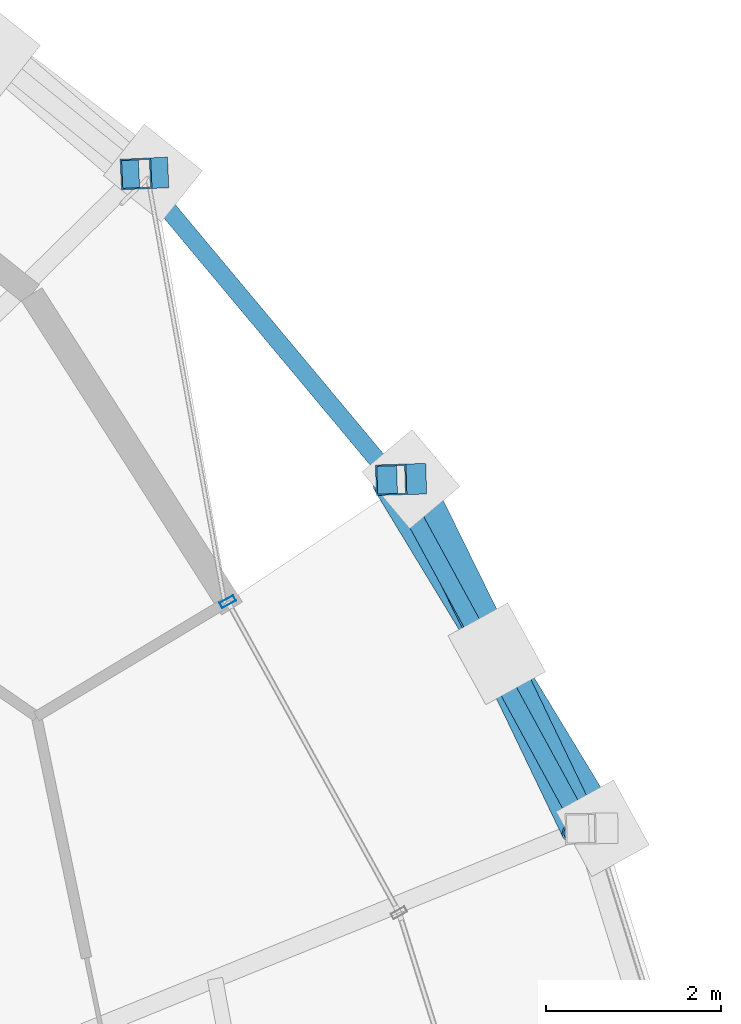
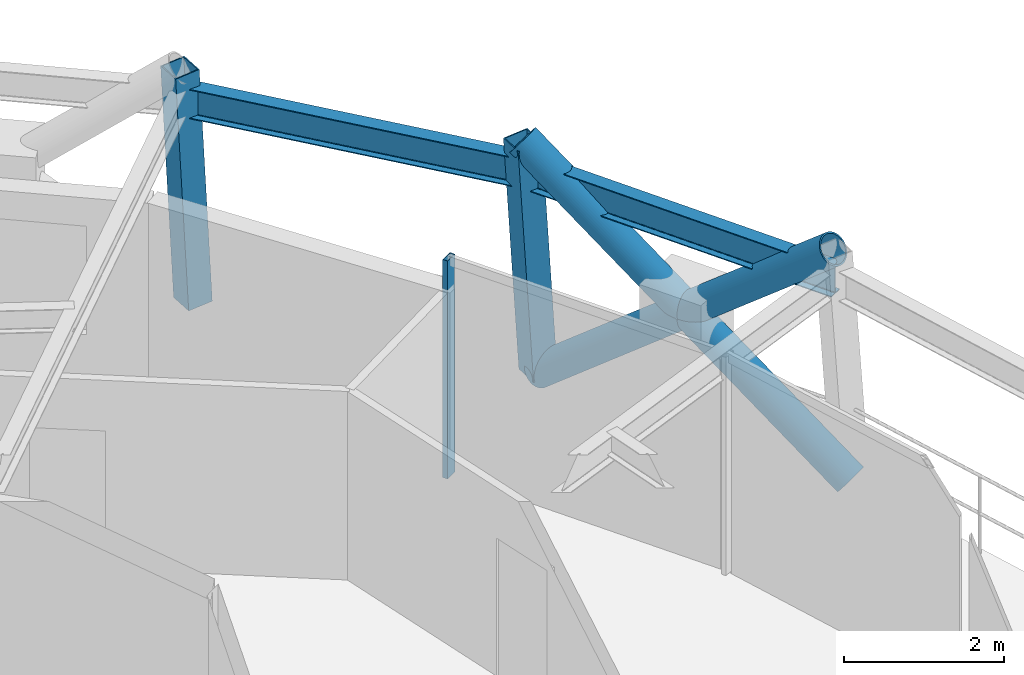
# One storey, part 9 of 16: 6 members, 2 beams, 1 element without a shape of its own.
"""IFC4 building model written with IfcOpenShell, lengths in metres."""

import ifcopenshell
import ifcopenshell.guid

model = None  # the IFC model being written
_history = None  # IfcOwnerHistory: only IFC2X3 demands one
_inside = {}  # id of a spatial element -> (the spatial element, [elements in it])
_under = {}  # id of a project, library or spatial element -> (it, [spatial elements below it])
_declared = {}  # id of a project -> (the project, [libraries it declares])
_typed = {}  # id of a type object -> (the type object, [elements of that type])
_made_of = {}  # id of a material, layer set ... -> (it, [elements and type objects made of it])


def new_model(schema):
    """Start an empty IFC model of exactly this schema.

    Asked for "IFC4X3", IfcOpenShell would pick the latest addendum, in which some entities
    have other attributes; the version numbers below select the first issue.
    IFC2X3 requires an IfcOwnerHistory on every rooted entity: one is made here for all.
    """
    global model, _history
    if schema == "IFC4X3":
        model = ifcopenshell.file(schema_version=(4, 3, 0, 0))
    else:
        model = ifcopenshell.file(schema=schema)
    _inside.clear()
    _under.clear()
    _declared.clear()
    _typed.clear()
    _made_of.clear()
    _history = None
    if model.schema == "IFC2X3":
        org = make("IfcOrganization", Name="unknown")
        user = make(
            "IfcPersonAndOrganization",
            ThePerson=make("IfcPerson", FamilyName="unknown"),
            TheOrganization=org,
        )
        app = make(
            "IfcApplication",
            ApplicationDeveloper=org,
            Version="unknown",
            ApplicationFullName="unknown",
            ApplicationIdentifier="unknown",
        )
        _history = make(
            "IfcOwnerHistory",
            OwningUser=user,
            OwningApplication=app,
            ChangeAction="ADDED",
            CreationDate=0,
        )
    return model


def make(cls, **values):
    """One entity of the class cls with the attributes given. An attribute that is None is left unset."""
    return model.create_entity(
        cls, **{name: value for name, value in values.items() if value is not None}
    )


def rooted(cls, **values):
    """An entity with a GlobalId (a new one), such as an element, a storey or a relation."""
    return make(cls, GlobalId=ifcopenshell.guid.new(), OwnerHistory=_history, **values)


def si_unit(unit_type, name, prefix=None):
    """IfcSIUnit, for example si_unit("LENGTHUNIT", "METRE", prefix="MILLI")."""
    return make("IfcSIUnit", UnitType=unit_type, Prefix=prefix, Name=name)


def assignment(units):
    """IfcUnitAssignment: the units of a project."""
    return None if units is None else make("IfcUnitAssignment", Units=units)


def point(xyz):
    """IfcCartesianPoint."""
    return None if xyz is None else make("IfcCartesianPoint", Coordinates=xyz)


def direction(xyz):
    """IfcDirection."""
    return None if xyz is None else make("IfcDirection", DirectionRatios=xyz)


def frame(location, z_axis=None, x_axis=None):
    """IfcAxis2Placement3D, a coordinate frame: its origin and axes. An axis left out is left unset."""
    return make(
        "IfcAxis2Placement3D",
        Location=point(location),
        Axis=direction(z_axis),
        RefDirection=direction(x_axis),
    )


def frame_2d(location, x_axis=None):
    """IfcAxis2Placement2D, a coordinate frame in the plane: its origin and x axis."""
    return make(
        "IfcAxis2Placement2D", Location=point(location), RefDirection=direction(x_axis)
    )


def origin():
    """The frame at (0, 0, 0) with its axes left unset."""
    return frame((0.0, 0.0, 0.0))


def origin_2d():
    """The frame at (0, 0) in the plane with its x axis left unset."""
    return frame_2d((0.0, 0.0))


def place(relative_to, where):
    """IfcLocalPlacement: puts the frame where relative to a parent placement (None: the world)."""
    return make(
        "IfcLocalPlacement", PlacementRelTo=relative_to, RelativePlacement=where
    )


def context(
    kind, dimensions, precision=None, world=None, true_north=None, identifier=None
):
    """IfcGeometricRepresentationContext, for example the 3D "Model" context."""
    return make(
        "IfcGeometricRepresentationContext",
        ContextIdentifier=identifier,
        ContextType=kind,
        CoordinateSpaceDimension=dimensions,
        Precision=precision,
        WorldCoordinateSystem=world,
        TrueNorth=true_north,
    )


def subcontext(parent, identifier, kind, view, scale=None):
    """IfcGeometricRepresentationSubContext, for example "Body" below "Model"."""
    return make(
        "IfcGeometricRepresentationSubContext",
        ContextIdentifier=identifier,
        ContextType=kind,
        ParentContext=parent,
        TargetScale=scale,
        TargetView=view,
    )


def project(units=None, contexts=None):
    """IfcProject with its units and contexts."""
    return rooted(
        "IfcProject",
        Name="project",
        RepresentationContexts=contexts,
        UnitsInContext=assignment(units),
    )


def spatial(cls, under=None, at=None, **own):
    """A site, building, storey or space (cls), placed at a placement, below another one or the project."""
    s = rooted(cls, ObjectPlacement=at, **own)
    if under is not None:
        _under.setdefault(under.id(), (under, []))[1].append(s)
    return s


def profile(cls, at=None, kind="AREA", **sizes):
    """A parametric profile (cls). Its sizes go by their IFC names, for example OverallWidth=200.0."""
    return make(cls, ProfileType=kind, Position=at, **sizes)


def hollow_rectangle(**sizes):
    """IfcRectangleHollowProfileDef."""
    return profile("IfcRectangleHollowProfileDef", **sizes)


def hollow_circle(**sizes):
    """IfcCircleHollowProfileDef."""
    return profile("IfcCircleHollowProfileDef", **sizes)


def i_section(**sizes):
    """IfcIShapeProfileDef."""
    return profile("IfcIShapeProfileDef", **sizes)


def extrude(swept, where, along, depth):
    """IfcExtrudedAreaSolid: the profile swept, set in the frame where, extruded along a direction by depth."""
    return make(
        "IfcExtrudedAreaSolid",
        SweptArea=swept,
        Position=where,
        ExtrudedDirection=direction(along),
        Depth=depth,
    )


def shape(context_of_items, identifier, shape_type, items):
    """IfcShapeRepresentation: the items that make up one representation, for example the "Body"."""
    return make(
        "IfcShapeRepresentation",
        ContextOfItems=context_of_items,
        RepresentationIdentifier=identifier,
        RepresentationType=shape_type,
        Items=items,
    )


def material(Name=None, Category=None):
    """IfcMaterial."""
    return make("IfcMaterial", Name=Name, Category=Category)


def layer(
    of_material, thickness, ventilated=None, Name=None, Category=None, Priority=None
):
    """IfcMaterialLayer: one layer of a wall or slab, of a material (None: an air gap)."""
    return make(
        "IfcMaterialLayer",
        Material=of_material,
        LayerThickness=thickness,
        IsVentilated=ventilated,
        Name=Name,
        Category=Category,
        Priority=Priority,
    )


def layer_set(layers, Name=None):
    """IfcMaterialLayerSet."""
    return make("IfcMaterialLayerSet", MaterialLayers=layers, LayerSetName=Name)


def material_profile(
    of_material, cross_section, Name=None, Category=None, Priority=None
):
    """IfcMaterialProfile: a cross section and its material."""
    return make(
        "IfcMaterialProfile",
        Name=Name,
        Material=of_material,
        Profile=cross_section,
        Priority=Priority,
        Category=Category,
    )


def profile_set(profiles, Name=None, composite=None):
    """IfcMaterialProfileSet."""
    return make(
        "IfcMaterialProfileSet",
        Name=Name,
        MaterialProfiles=profiles,
        CompositeProfile=composite,
    )


def made_of(thing, what):
    """Note that an element or type object is made of a material, layer set ...; save() writes the relation."""
    if what is not None:
        _made_of.setdefault(what.id(), (what, []))[1].append(thing)
    return thing


def type_object(cls, material=None, **own):
    """A type object (cls), such as IfcWallType, which elements share."""
    return made_of(rooted(cls, **own), material)


def element(
    cls,
    number,
    at=None,
    inside=None,
    cuts=None,
    type_object=None,
    material=None,
    context=None,
    identifier="Body",
    shape_type=None,
    held_by="IfcProductDefinitionShape",
    body=None,
    shapes=None,
    **own,
):
    """One element of the class cls, such as IfcWall. Its Tag is "e" and its number.

    at: its placement. inside: the storey or other place that contains it. cuts: it is an
    opening in that element (IfcRelVoidsElement). A single representation is given by context,
    identifier, shape_type and body (its items); several are given by shapes. held_by: the class
    of the entity that holds the representations. save() writes the other relations.
    """
    e = rooted(cls, Tag="e%d" % number, ObjectPlacement=at, **own)
    if body is not None:
        shapes = [shape(context, identifier, shape_type, body)]
    if shapes is not None:
        e.Representation = make(held_by, Representations=shapes)
    if inside is not None:
        _inside.setdefault(inside.id(), (inside, []))[1].append(e)
    if cuts is not None:
        rooted(
            "IfcRelVoidsElement", RelatingBuildingElement=cuts, RelatedOpeningElement=e
        )
    if type_object is not None:
        _typed.setdefault(type_object.id(), (type_object, []))[1].append(e)
    return made_of(e, material)


def aggregate(whole, parts):
    """IfcRelAggregates: a whole, such as a stair, and the parts it consists of."""
    return rooted("IfcRelAggregates", RelatingObject=whole, RelatedObjects=parts)


def save(model, path):
    """Write the relations noted so far, then the file.

    IfcRelAggregates (storeys below a building ...), IfcRelContainedInSpatialStructure (elements
    in a storey), IfcRelDefinesByType, IfcRelAssociatesMaterial and IfcRelDeclares: one each for
    every whole, place, type object, material and project.
    """
    for whole, parts in _under.values():
        aggregate(whole, parts)
    for where, things in _inside.values():
        rooted(
            "IfcRelContainedInSpatialStructure",
            RelatedElements=things,
            RelatingStructure=where,
        )
    for kind, things in _typed.values():
        rooted("IfcRelDefinesByType", RelatedObjects=things, RelatingType=kind)
    for what, things in _made_of.values():
        rooted("IfcRelAssociatesMaterial", RelatedObjects=things, RelatingMaterial=what)
    for by, libraries in _declared.values():
        rooted("IfcRelDeclares", RelatingContext=by, RelatedDefinitions=libraries)
    model.write(path)


model = new_model("IFC4")

# Units and contexts
model_context = context("Model", 3, precision=1e-05, world=origin(), true_north=direction((0.0, 1.0)))
body_context = subcontext(model_context, "Body", "Model", "MODEL_VIEW")
ifc_project = project(units=[si_unit("LENGTHUNIT", "METRE"), si_unit("AREAUNIT", "SQUARE_METRE"), si_unit("VOLUMEUNIT", "CUBIC_METRE"), si_unit("PLANEANGLEUNIT", "RADIAN"), si_unit("MASSUNIT", "GRAM", prefix="KILO")], contexts=[model_context])

# Site, building, storey
site_placement = place(None, origin())
site = spatial("IfcSite", under=ifc_project, at=site_placement, CompositionType="ELEMENT")
building_placement = place(site_placement, origin())
building = spatial("IfcBuilding", under=site, at=building_placement, Name="Veldorina Hangang Commons", CompositionType="ELEMENT")
storey_placement = place(building_placement, frame((0.0, 0.0, 240.0)))
storey = spatial("IfcBuildingStorey", under=building, at=storey_placement, Name="L62", CompositionType="ELEMENT", Elevation=240.0)

# Beams
ifc_material_1 = material(Name="Steel SM355-TMC", Category="steel")
ifc_material_profile_1 = material_profile(ifc_material_1, i_section(OverallWidth=0.199951171875, OverallDepth=0.449951171875, WebThickness=0.009033203125, FlangeThickness=0.013916015625, FilletRadius=0.01611328125, at=origin_2d()), Name="H-450x200x9x14")
ifc_profile_set_1 = profile_set([ifc_material_profile_1], Name="Steel SM355-TMC")
beam_type = type_object("IfcBeamType", Name="BM-RB450", PredefinedType="BEAM", material=ifc_profile_set_1)
beam_1_placement = place(storey_placement, frame((53.700439453125, 32.83349609375, 3.135009765625), z_axis=(-0.477793774257, 0.878472031018, 0.0), x_axis=(-0.878472031018, -0.477793774257, 0.0)))
element("IfcBeam", 1, at=beam_1_placement, inside=storey, type_object=beam_type, Name="L62 perimeter hoop ring beam 02", PredefinedType="BEAM", context=body_context, shape_type="SweptSolid", body=[
    extrude(i_section(OverallWidth=0.199951171875, OverallDepth=0.449951171875, WebThickness=0.009033203125, FlangeThickness=0.013916015625, FilletRadius=0.01611328125, at=origin_2d()), origin(), (0.0, 0.0, 1.0), 4.54296875),
])
beam_2_placement = place(storey_placement, frame((51.52978515625, 36.824462890625, 3.135009765625), z_axis=(-0.640942886525, 0.767588572227, 0.0), x_axis=(-0.767588572227, -0.640942886525, 0.0)))
element("IfcBeam", 2, at=beam_2_placement, inside=storey, type_object=beam_type, Name="L62 perimeter hoop ring beam 03", PredefinedType="BEAM", context=body_context, shape_type="SweptSolid", body=[
    extrude(i_section(OverallWidth=0.199951171875, OverallDepth=0.449951171875, WebThickness=0.009033203125, FlangeThickness=0.013916015625, FilletRadius=0.01611328125, at=origin_2d()), origin(), (0.0, 0.0, 1.0), 4.55712890625),
])

# Curtain wall, member
ifc_material_2 = material(Name="Glass Low-E Selective", Category="glass")
ifc_layer = layer(ifc_material_2, 0.179931640625)
ifc_layer_set = layer_set([ifc_layer], Name="Glass Low-E Selective")
curtain_wall_type = type_object("IfcCurtainWallType", Name="CW-SYS-Z3", PredefinedType="NOTDEFINED", material=ifc_layer_set)
curtain_wall_placement = place(storey_placement, origin())
curtain_wall = element("IfcCurtainWall", 3, at=curtain_wall_placement, inside=storey, type_object=curtain_wall_type, Name="L62 unitised curtain wall CW-L62-R2", PredefinedType="NOTDEFINED")
ifc_material_3 = material(Name="Aluminium Anodized AA6063-T6", Category="aluminium")
ifc_material_profile_2 = material_profile(ifc_material_3, hollow_rectangle(XDim=0.070068359375, YDim=0.179931640625, WallThickness=0.00390625, at=origin_2d()), Name="ALU-RHS-180x70x4")
ifc_profile_set_2 = profile_set([ifc_material_profile_2], Name="Aluminium Anodized AA6063-T6")
member_type_1 = type_object("IfcMemberType", Name="CW-MUL-180", PredefinedType="MULLION", material=ifc_profile_set_2)
member_1_placement = place(storey_placement, frame((49.631591796875, 35.43017578125, 0.0), z_axis=(0.0, 0.0, 1.0), x_axis=(0.482548786301, -0.875869093438, 0.0)))
member_1 = element("IfcMember", 4, at=member_1_placement, type_object=member_type_1, Name="CW-L62-R2 vertical mullion 4", PredefinedType="MULLION", context=body_context, shape_type="SweptSolid", body=[
    extrude(hollow_rectangle(XDim=0.070068359375, YDim=0.179931640625, WallThickness=0.00390625, at=origin_2d()), origin(), (0.0, 0.0, 1.0), 3.320068359375),
])
aggregate(curtain_wall, [member_1])

# Members
ifc_material_profile_3 = material_profile(ifc_material_1, hollow_circle(Radius=0.22509765625, WallThickness=0.02197265625, at=origin_2d()), Name="CHS-450x22")
ifc_profile_set_3 = profile_set([ifc_material_profile_3], Name="Steel SM355-TMC")
member_type_2 = type_object("IfcMemberType", Name="DG-CHS450", PredefinedType="BRACE", material=ifc_profile_set_3)
member_2_placement = place(storey_placement, frame((53.91943359375, 32.837646484375, 0.0), z_axis=(-0.410646455458, 0.676646551454, 0.611161953188), x_axis=(-0.854885394744, -0.51881688663, 0.0)))
element("IfcMember", 5, at=member_2_placement, inside=storey, type_object=member_type_2, Name="L62 continuous perimeter diagrid brace 02", PredefinedType="BRACE", context=body_context, shape_type="SweptSolid", body=[
    extrude(hollow_circle(Radius=0.22509765625, WallThickness=0.02197265625, at=origin_2d()), origin(), (0.0, 0.0, 1.0), 5.890625),
])
member_3_placement = place(storey_placement, frame((51.726806640625, 36.830322265625, 0.0), z_axis=(0.342747567663, -0.697261096604, 0.629564188962), x_axis=(0.897435440725, 0.44114581459, 0.0)))
element("IfcMember", 6, at=member_3_placement, inside=storey, type_object=member_type_2, Name="L62 split perimeter diagrid lower brace 03", PredefinedType="BRACE", context=body_context, shape_type="SweptSolid", body=[
    extrude(hollow_circle(Radius=0.22509765625, WallThickness=0.02197265625, at=origin_2d()), origin(), (0.0, 0.0, 1.0), 2.863525390625),
])
member_4_placement = place(storey_placement, frame((52.708251953125, 34.833740234375, 1.802734375), z_axis=(0.336081333869, -0.70063254415, 0.629415105556), x_axis=(0.901634623813, 0.432498560855, 0.0)))
element("IfcMember", 7, at=member_4_placement, inside=storey, type_object=member_type_2, Name="L62 split perimeter diagrid upper brace 03", PredefinedType="BRACE", context=body_context, shape_type="SweptSolid", body=[
    extrude(hollow_circle(Radius=0.22509765625, WallThickness=0.02197265625, at=origin_2d()), origin(), (0.0, 0.0, 1.0), 2.855712890625),
])
ifc_material_profile_4 = material_profile(ifc_material_1, hollow_rectangle(XDim=0.35009765625, YDim=0.35009765625, WallThickness=0.01611328125, at=origin_2d()), Name="SHS-350x350x16")
ifc_profile_set_4 = profile_set([ifc_material_profile_4], Name="Steel SM355-TMC")
member_type_3 = type_object("IfcMemberType", Name="STR-SHS350", PredefinedType="STRUT", material=ifc_profile_set_4)
member_5_placement = place(storey_placement, frame((51.726806640625, 36.830322265625, 0.0), z_axis=(-0.06274054137, -0.001895075683, 0.998028072329), x_axis=(0.030191193071, -0.999544142027, 0.0)))
element("IfcMember", 8, at=member_5_placement, inside=storey, type_object=member_type_3, Name="L62 perimeter ring node post 03", PredefinedType="STRUT", context=body_context, shape_type="SweptSolid", body=[
    extrude(hollow_rectangle(XDim=0.35009765625, YDim=0.35009765625, WallThickness=0.01611328125, at=origin_2d()), origin(), (0.0, 0.0, 1.0), 3.607177734375),
])
member_6_placement = place(storey_placement, frame((48.7763671875, 40.329833984375, 0.0), z_axis=(-0.053361933428, -0.002370136637, 0.99857242427), x_axis=(0.04437249613, -0.999015055736, 0.0)))
element("IfcMember", 9, at=member_6_placement, inside=storey, type_object=member_type_3, Name="L62 perimeter ring node post 04", PredefinedType="STRUT", context=body_context, shape_type="SweptSolid", body=[
    extrude(hollow_rectangle(XDim=0.35009765625, YDim=0.35009765625, WallThickness=0.01611328125, at=origin_2d()), origin(), (0.0, 0.0, 1.0), 3.605224609375),
])

save(model, "model.ifc")
